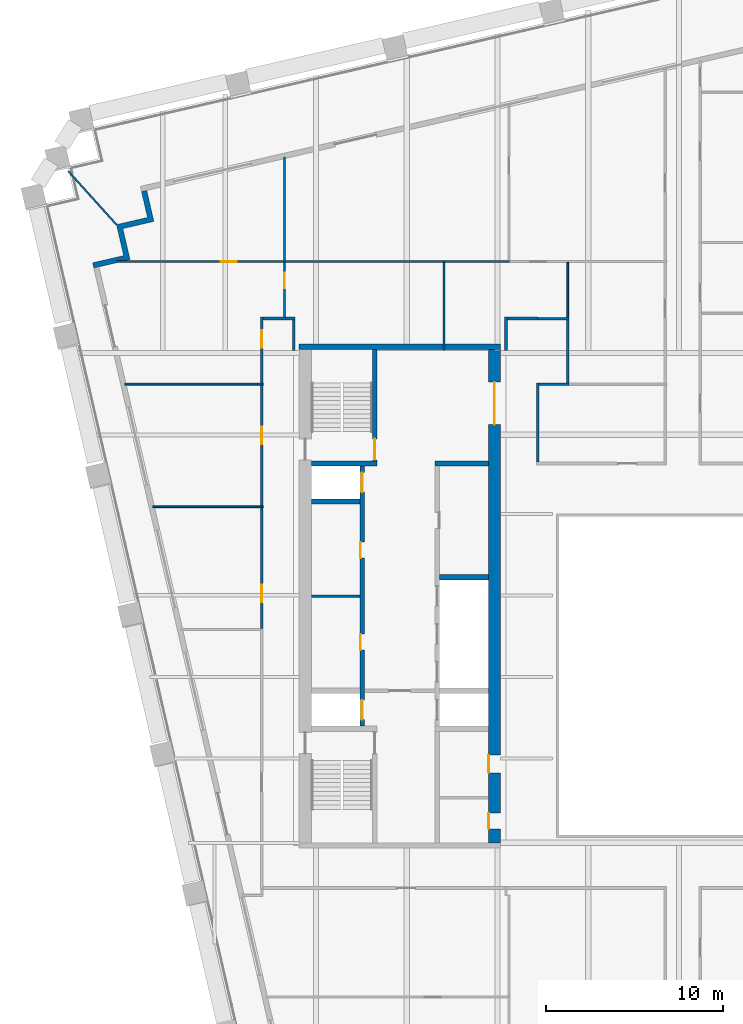
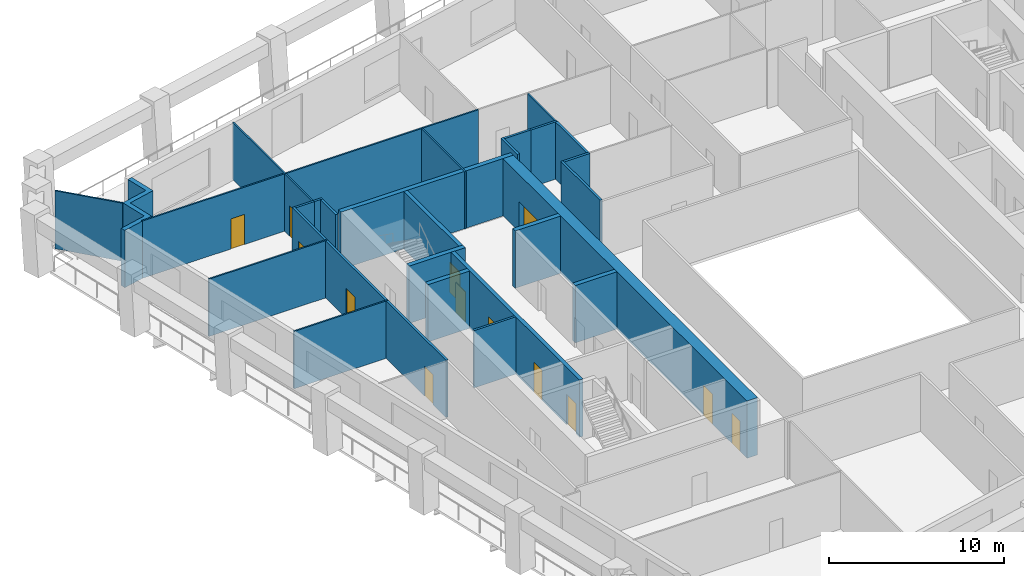
# One storey, part 6 of 10: 32 walls, 13 doors, 13 openings.
"""IFC4 building model written with IfcOpenShell, lengths in metres."""

from ifc_helpers import new_model, si_unit, direction, frame, frame_2d, origin, place, context, subcontext, project, spatial, polyline, rectangle, outline, extrude, material, layer, layer_set, type_object, element, fill, save


model = new_model("IFC4")

# Units and contexts
model_context = context("Model", 3, precision=1e-05, world=origin(), true_north=direction((0.0, 1.0)))
body_context = subcontext(model_context, "Body", "Model", "MODEL_VIEW")
ifc_project = project(units=[si_unit("LENGTHUNIT", "METRE"), si_unit("AREAUNIT", "SQUARE_METRE"), si_unit("VOLUMEUNIT", "CUBIC_METRE"), si_unit("PLANEANGLEUNIT", "RADIAN"), si_unit("MASSUNIT", "GRAM", prefix="KILO")], contexts=[model_context])

# Site, building, storey
site_placement = place(None, origin())
site = spatial("IfcSite", under=ifc_project, at=site_placement, CompositionType="ELEMENT")
building_placement = place(site_placement, origin())
building = spatial("IfcBuilding", under=site, at=building_placement, Name="Ogive Exchange Tower", CompositionType="ELEMENT")
storey_placement = place(building_placement, frame((0.0, 0.0, 188.39990234375)))
storey = spatial("IfcBuildingStorey", under=building, at=storey_placement, Name="L41", CompositionType="ELEMENT", Elevation=188.39990234375)

# Walls
ifc_material_1 = material(Name="Gypsum board partition")
ifc_layer_1 = layer(ifc_material_1, 0.14990234375)
ifc_layer_set_1 = layer_set([ifc_layer_1], Name="Core room partition 150 gypsum")
wall_type_1 = type_object("IfcWallType", Name="Core room partition 150 gypsum", PredefinedType="PARTITIONING", material=ifc_layer_set_1)
wall_1_placement = place(storey_placement, frame((-21.0, 11.5, 0.0), z_axis=(0.0, 0.0, 1.0), x_axis=(1.0, 0.0, 0.0)))
element("IfcWall", 1, at=wall_1_placement, inside=storey, type_object=wall_type_1, Name="W row A bay partition 1-1", PredefinedType="PARTITIONING", context=body_context, shape_type="SweptSolid", body=[
    extrude(rectangle(XDim=2.75, YDim=0.14990234375, at=frame_2d((1.375, 0.0))), origin(), (0.0, 0.0, 1.0), 4.0),
])
ifc_layer_2 = layer(ifc_material_1, 0.300048828125)
ifc_layer_set_2 = layer_set([ifc_layer_2], Name="Core room partition 300 gypsum")
wall_type_2 = type_object("IfcWallType", Name="Core room partition 300 gypsum", PredefinedType="PARTITIONING", material=ifc_layer_set_2)
wall_2_placement = place(storey_placement, frame((-14.0, 19.0, 0.0), z_axis=(0.0, 0.0, 1.0), x_axis=(1.0, 0.0, 0.0)))
element("IfcWall", 2, at=wall_2_placement, inside=storey, type_object=wall_type_2, Name="W row B room end wall 7", PredefinedType="PARTITIONING", context=body_context, shape_type="SweptSolid", body=[
    extrude(rectangle(XDim=3.0, YDim=0.300048828125, at=frame_2d((1.5, 0.0))), origin(), (0.0, 0.0, 1.0), 4.0),
])

# Wall, opening, door
ifc_material_2 = material(Name="Fire partition EI 60 150")
ifc_layer_3 = layer(ifc_material_2, 0.14990234375)
ifc_layer_set_3 = layer_set([ifc_layer_3], Name="Fire partition EI 60 150")
wall_type_3 = type_object("IfcWallType", Name="Fire partition EI 60 150", PredefinedType="PARTITIONING", material=ifc_layer_set_3)
wall_3_placement = place(storey_placement, frame((-23.800048828125, 9.669921875, 0.0), z_axis=(0.0, 0.0, 1.0), x_axis=(0.0, 1.0, 0.0)))
wall_3 = element("IfcWall", 3, at=wall_3_placement, inside=storey, type_object=wall_type_3, Name="L41-PWL-005", PredefinedType="PARTITIONING", context=body_context, shape_type="SweptSolid", body=[
    extrude(rectangle(XDim=6.830078125, YDim=0.14990234375, at=frame_2d((3.4150390625, 0.0))), origin(), (0.0, 0.0, 1.0), 4.0),
])
opening_1_placement = place(wall_3_placement, frame((1.47998046875, 0.0, 0.0)))
opening_1 = element("IfcOpeningElement", 4, at=opening_1_placement, cuts=wall_3, Name="Opening L41-I01", PredefinedType="OPENING", context=body_context, shape_type="SweptSolid", body=[
    extrude(rectangle(XDim=1.0, YDim=2.10009765625, at=frame_2d((0.5, 1.050048828125))), frame((0.0, 0.0849609375, 0.0), z_axis=(0.0, -1.0, 0.0), x_axis=(1.0, 0.0, 0.0)), (0.0, 0.0, 1.0), 0.169921875),
])
ifc_material_3 = material(Name="Fire door FD 30S 1000 x 2100")
door_type_1 = type_object("IfcDoorType", Name="Fire door FD 30S 1000 x 2100", OperationType="NOTDEFINED", PredefinedType="DOOR", material=ifc_material_3)
door_1_placement = place(opening_1_placement, origin())
door_1 = element("IfcDoor", 5, at=door_1_placement, inside=storey, type_object=door_type_1, Name="L41-IDR-001", ObjectType="DT3", OperationType="SINGLE_SWING_RIGHT", OverallHeight=2.10009765625, OverallWidth=1.0, PredefinedType="DOOR", context=body_context, shape_type="SweptSolid", body=[
    extrude(rectangle(XDim=1.0, YDim=2.10009765625, at=frame_2d((0.5, 1.050048828125))), frame((0.0, 0.02490234375, 0.0), z_axis=(0.0, -1.0, 0.0), x_axis=(1.0, 0.0, 0.0)), (0.0, 0.0, 1.0), 0.050048828125),
])
fill(opening_1, door_1)

wall_4_placement = place(storey_placement, frame((-23.800048828125, 16.60009765625, 0.0), z_axis=(0.0, 0.0, 1.0), x_axis=(0.0, 1.0, 0.0)))
wall_4 = element("IfcWall", 6, at=wall_4_placement, inside=storey, type_object=wall_type_3, Name="L41-PWL-006", PredefinedType="PARTITIONING", context=body_context, shape_type="SweptSolid", body=[
    extrude(rectangle(XDim=6.83984375, YDim=0.14990234375, at=frame_2d((3.419921875, 0.0))), origin(), (0.0, 0.0, 1.0), 4.0),
])
opening_2_placement = place(wall_4_placement, frame((3.489990234375, 0.0, 0.0)))
opening_2 = element("IfcOpeningElement", 7, at=opening_2_placement, cuts=wall_4, Name="Opening L41-I02", PredefinedType="OPENING", context=body_context, shape_type="SweptSolid", body=[
    extrude(rectangle(XDim=1.0, YDim=2.10009765625, at=frame_2d((0.5, 1.050048828125))), frame((0.0, 0.0849609375, 0.0), z_axis=(0.0, -1.0, 0.0), x_axis=(1.0, 0.0, 0.0)), (0.0, 0.0, 1.0), 0.169921875),
])
door_2_placement = place(opening_2_placement, origin())
door_2 = element("IfcDoor", 8, at=door_2_placement, inside=storey, type_object=door_type_1, Name="L41-IDR-002", ObjectType="DT3", OperationType="SINGLE_SWING_LEFT", OverallHeight=2.10009765625, OverallWidth=1.0, PredefinedType="DOOR", context=body_context, shape_type="SweptSolid", body=[
    extrude(rectangle(XDim=1.0, YDim=2.10009765625, at=frame_2d((0.5, 1.050048828125))), frame((0.0, 0.02490234375, 0.0), z_axis=(0.0, -1.0, 0.0), x_axis=(1.0, 0.0, 0.0)), (0.0, 0.0, 1.0), 0.050048828125),
])
fill(opening_2, door_2)

wall_5_placement = place(storey_placement, frame((-23.800048828125, 23.5400390625, 0.0), z_axis=(0.0, 0.0, 1.0), x_axis=(0.0, 1.0, 0.0)))
wall_5 = element("IfcWall", 9, at=wall_5_placement, inside=storey, type_object=wall_type_3, Name="L41-PWL-007", PredefinedType="PARTITIONING", context=body_context, shape_type="SweptSolid", body=[
    extrude(rectangle(XDim=3.73486328125, YDim=0.14990234375, at=frame_2d((1.867431640625, 0.0))), origin(), (0.0, 0.0, 1.0), 4.0),
])
opening_3_placement = place(wall_5_placement, frame((2.010009765625, 0.0, 0.0)))
opening_3 = element("IfcOpeningElement", 10, at=opening_3_placement, cuts=wall_5, Name="Opening L41-I10", PredefinedType="OPENING", context=body_context, shape_type="SweptSolid", body=[
    extrude(rectangle(XDim=1.0, YDim=2.10009765625, at=frame_2d((0.5, 1.050048828125))), frame((0.0, 0.0849609375, 0.0), z_axis=(0.0, -1.0, 0.0), x_axis=(1.0, 0.0, 0.0)), (0.0, 0.0, 1.0), 0.169921875),
])
door_3_placement = place(opening_3_placement, origin())
door_3 = element("IfcDoor", 11, at=door_3_placement, inside=storey, type_object=door_type_1, Name="L41-IDR-010", ObjectType="DT3", OperationType="SINGLE_SWING_RIGHT", OverallHeight=2.10009765625, OverallWidth=1.0, PredefinedType="DOOR", context=body_context, shape_type="SweptSolid", body=[
    extrude(rectangle(XDim=1.0, YDim=2.10009765625, at=frame_2d((0.5, 1.050048828125))), frame((0.0, 0.02490234375, 0.0), z_axis=(0.0, -1.0, 0.0), x_axis=(1.0, 0.0, 0.0)), (0.0, 0.0, 1.0), 0.050048828125),
])
fill(opening_3, door_3)

# Walls
wall_6_placement = place(storey_placement, frame((-23.72509765625, 27.199951171875, 0.0), z_axis=(0.0, 0.0, 1.0), x_axis=(1.0, 0.0, 0.0)))
element("IfcWall", 12, at=wall_6_placement, inside=storey, type_object=wall_type_3, Name="L41-PWL-008", PredefinedType="PARTITIONING", context=body_context, shape_type="SweptSolid", body=[
    extrude(rectangle(XDim=1.255126953125, YDim=0.14990234375, at=frame_2d((0.62744140625, 0.0))), origin(), (0.0, 0.0, 1.0), 4.0),
])
wall_7_placement = place(storey_placement, frame((-22.469970703125, 27.199951171875, 0.0), z_axis=(0.0, 0.0, 1.0), x_axis=(1.0, 0.0, 0.0)))
element("IfcWall", 13, at=wall_7_placement, inside=storey, type_object=wall_type_3, Name="L41-PWL-012", PredefinedType="PARTITIONING", context=body_context, shape_type="SweptSolid", body=[
    extrude(rectangle(XDim=0.544921875, YDim=0.14990234375, at=frame_2d((0.2724609375, 0.0))), origin(), (0.0, 0.0, 1.0), 4.0),
])
wall_8_placement = place(storey_placement, frame((-22.0, 27.125, 0.0), z_axis=(0.0, 0.0, 1.0), x_axis=(0.0, -1.0, 0.0)))
element("IfcWall", 14, at=wall_8_placement, inside=storey, type_object=wall_type_3, Name="L41-PWL-016", PredefinedType="PARTITIONING", context=body_context, shape_type="SweptSolid", body=[
    extrude(rectangle(XDim=1.72509765625, YDim=0.14990234375, at=frame_2d((0.862548828125, 0.0))), origin(), (0.0, 0.0, 1.0), 4.0),
])
wall_9_placement = place(storey_placement, frame((-10.0, 25.39990234375, 0.0), z_axis=(0.0, 0.0, 1.0), x_axis=(0.0, 1.0, 0.0)))
element("IfcWall", 15, at=wall_9_placement, inside=storey, type_object=wall_type_3, Name="L41-PWL-021", PredefinedType="PARTITIONING", context=body_context, shape_type="SweptSolid", body=[
    extrude(rectangle(XDim=1.875, YDim=0.14990234375, at=frame_2d((0.9375, 0.0))), origin(), (0.0, 0.0, 1.0), 4.0),
])
wall_10_placement = place(storey_placement, frame((-9.925048828125, 27.199951171875, 0.0), z_axis=(0.0, 0.0, 1.0), x_axis=(1.0, 0.0, 0.0)))
element("IfcWall", 16, at=wall_10_placement, inside=storey, type_object=wall_type_3, Name="L41-PWL-022", PredefinedType="PARTITIONING", context=body_context, shape_type="SweptSolid", body=[
    extrude(rectangle(XDim=1.72509765625, YDim=0.14990234375, at=frame_2d((0.862548828125, 0.0))), origin(), (0.0, 0.0, 1.0), 4.0),
])
wall_11_placement = place(storey_placement, frame((-8.199951171875, 23.56494140625, 0.0), z_axis=(0.0, 0.0, 1.0), x_axis=(0.0, -1.0, 0.0)))
element("IfcWall", 17, at=wall_11_placement, inside=storey, type_object=wall_type_3, Name="L41-PWL-029", PredefinedType="PARTITIONING", context=body_context, shape_type="SweptSolid", body=[
    extrude(rectangle(XDim=4.489990234375, YDim=0.14990234375, at=frame_2d((2.2451171875, 0.0))), origin(), (0.0, 0.0, 1.0), 4.0),
])
wall_12_placement = place(storey_placement, frame((-8.199951171875, 27.18994140625, 0.0), z_axis=(0.0, 0.0, 1.0), x_axis=(1.0, 0.0, 0.0)))
element("IfcWall", 18, at=wall_12_placement, inside=storey, type_object=wall_type_3, Name="L41-PWL-030", PredefinedType="PARTITIONING", context=body_context, shape_type="SweptSolid", body=[
    extrude(rectangle(XDim=1.77490234375, YDim=0.14990234375, at=frame_2d((0.887451171875, 0.0))), origin(), (0.0, 0.0, 1.0), 4.0),
])
wall_13_placement = place(storey_placement, frame((-6.425048828125, 23.489990234375, 0.0), z_axis=(0.0, 0.0, 1.0), x_axis=(-1.0, 0.0, 0.0)))
element("IfcWall", 19, at=wall_13_placement, inside=storey, type_object=wall_type_3, Name="L41-PWL-031", PredefinedType="PARTITIONING", context=body_context, shape_type="SweptSolid", body=[
    extrude(rectangle(XDim=1.699951171875, YDim=0.14990234375, at=frame_2d((0.85009765625, 0.0))), origin(), (0.0, 0.0, 1.0), 4.0),
])
wall_14_placement = place(storey_placement, frame((-6.5, 27.114990234375, 0.0), z_axis=(0.0, 0.0, 1.0), x_axis=(0.0, -1.0, 0.0)))
element("IfcWall", 20, at=wall_14_placement, inside=storey, type_object=wall_type_3, Name="L41-PWL-033", PredefinedType="PARTITIONING", context=body_context, shape_type="SweptSolid", body=[
    extrude(rectangle(XDim=3.550048828125, YDim=0.14990234375, at=frame_2d((1.77490234375, 0.0))), origin(), (0.0, 0.0, 1.0), 4.0),
])
ifc_material_4 = material(Name="Precast concrete C40/50", Category="concrete")
ifc_layer_4 = layer(ifc_material_4, 0.300048828125)
ifc_layer_set_4 = layer_set([ifc_layer_4], Name="Limestone-faced wall 300")
wall_type_4 = type_object("IfcWallType", Name="Limestone-faced wall 300", PredefinedType="STANDARD", material=ifc_layer_set_4)
wall_15_placement = place(storey_placement, origin())
element("IfcWall", 21, at=wall_15_placement, inside=storey, type_object=wall_type_4, Name="External corner wall C3", PredefinedType="STANDARD", context=body_context, shape_type="SweptSolid", body=[
    extrude(outline(polyline([(-31.616943359375, 30.755615234375), (-32.02197265625, 32.509521484375), (-30.26806640625, 32.914306640625), (-30.60546875, 34.3759765625), (-30.31298828125, 34.443359375), (-29.908203125, 32.689697265625), (-31.662109375, 32.28466796875), (-31.257080078125, 30.53076171875), (-33.30322265625, 30.058349609375), (-33.370849609375, 30.3505859375), (-31.616943359375, 30.755615234375)])), origin(), (0.0, 0.0, 1.0), 4.0),
])
ifc_material_5 = material(Name="Laminated safety glass in steel frame", Category="steel")
ifc_layer_5 = layer(ifc_material_5, 0.10009765625)
ifc_layer_set_5 = layer_set([ifc_layer_5], Name="Loggia end screen 100")
wall_type_5 = type_object("IfcWallType", Name="Loggia end screen 100", PredefinedType="STANDARD", material=ifc_layer_set_5)
wall_16_placement = place(storey_placement, frame((-32.02197265625, 32.509521484375, -0.0498046875), z_axis=(0.0, 0.0, 1.0), x_axis=(-0.670133848455, 0.742240274544, 0.0)))
element("IfcWall", 22, at=wall_16_placement, inside=storey, type_object=wall_type_5, Name="Loggia end screen C3", PredefinedType="STANDARD", context=body_context, shape_type="SweptSolid", body=[
    extrude(rectangle(XDim=4.06982421875, YDim=0.10009765625, at=frame_2d((2.034912109375, 0.0))), origin(), (0.0, 0.0, 1.0), 4.0498046875),
])
ifc_material_6 = material(Name="Partition 100 gypsum")
ifc_layer_6 = layer(ifc_material_6, 0.10009765625)
ifc_layer_set_6 = layer_set([ifc_layer_6], Name="Partition 100 gypsum")
wall_type_6 = type_object("IfcWallType", Name="Partition 100 gypsum", PredefinedType="PARTITIONING", material=ifc_layer_set_6)
wall_17_placement = place(storey_placement, frame((-31.56201171875, 23.489990234375, 0.0), z_axis=(0.0, 0.0, 1.0), x_axis=(1.0, 0.0, 0.0)))
element("IfcWall", 23, at=wall_17_placement, inside=storey, type_object=wall_type_6, Name="L41-PWL-001", PredefinedType="PARTITIONING", context=body_context, shape_type="SweptSolid", body=[
    extrude(rectangle(XDim=7.8369140625, YDim=0.10009765625, at=frame_2d((3.91845703125, 0.0))), origin(), (0.0, 0.0, 1.0), 4.0),
])
wall_18_placement = place(storey_placement, frame((-29.958984375, 16.550048828125, 0.0), z_axis=(0.0, 0.0, 1.0), x_axis=(1.0, 0.0, 0.0)))
element("IfcWall", 24, at=wall_18_placement, inside=storey, type_object=wall_type_6, Name="L41-PWL-002", PredefinedType="PARTITIONING", context=body_context, shape_type="SweptSolid", body=[
    extrude(rectangle(XDim=6.23388671875, YDim=0.10009765625, at=frame_2d((3.116943359375, 0.0))), origin(), (0.0, 0.0, 1.0), 4.0),
])

# Wall, opening, door
wall_19_placement = place(storey_placement, frame((-22.52001953125, 27.27490234375, 0.0), z_axis=(0.0, 0.0, 1.0), x_axis=(0.0, 1.0, 0.0)))
wall_19 = element("IfcWall", 25, at=wall_19_placement, inside=storey, type_object=wall_type_6, Name="L41-PWL-011", PredefinedType="PARTITIONING", context=body_context, shape_type="SweptSolid", body=[
    extrude(rectangle(XDim=3.09521484375, YDim=0.10009765625, at=frame_2d((1.547607421875, 0.0))), origin(), (0.0, 0.0, 1.0), 4.0),
])
opening_4_placement = place(wall_19_placement, frame((1.625, 0.0, 0.0)))
opening_4 = element("IfcOpeningElement", 26, at=opening_4_placement, cuts=wall_19, Name="Opening L41-I04", PredefinedType="OPENING", context=body_context, shape_type="SweptSolid", body=[
    extrude(rectangle(XDim=0.89990234375, YDim=2.10009765625, at=frame_2d((0.449951171875, 1.050048828125))), frame((0.0, 0.06005859375, 0.0), z_axis=(0.0, -1.0, 0.0), x_axis=(1.0, 0.0, 0.0)), (0.0, 0.0, 1.0), 0.1201171875),
])
ifc_material_7 = material(Name="Door 900 x 2100")
door_type_2 = type_object("IfcDoorType", Name="Door 900 x 2100", OperationType="NOTDEFINED", PredefinedType="DOOR", material=ifc_material_7)
door_4_placement = place(opening_4_placement, frame((0.89990234375, 0.0, 0.0), z_axis=(0.0, 0.0, 1.0), x_axis=(-1.0, 0.0, 0.0)))
door_4 = element("IfcDoor", 27, at=door_4_placement, inside=storey, type_object=door_type_2, Name="L41-IDR-004", ObjectType="DT1", OperationType="SINGLE_SWING_RIGHT", OverallHeight=2.10009765625, OverallWidth=0.89990234375, PredefinedType="DOOR", context=body_context, shape_type="SweptSolid", body=[
    extrude(rectangle(XDim=0.89990234375, YDim=2.10009765625, at=frame_2d((0.449951171875, 1.050048828125))), frame((0.0, 0.02490234375, 0.0), z_axis=(0.0, -1.0, 0.0), x_axis=(1.0, 0.0, 0.0)), (0.0, 0.0, 1.0), 0.050048828125),
])
fill(opening_4, door_4)

wall_20_placement = place(storey_placement, frame((-22.570068359375, 30.419921875, 0.0), z_axis=(0.0, 0.0, 1.0), x_axis=(-1.0, 0.0, 0.0)))
wall_20 = element("IfcWall", 28, at=wall_20_placement, inside=storey, type_object=wall_type_6, Name="L41-PWL-013", PredefinedType="PARTITIONING", context=body_context, shape_type="SweptSolid", body=[
    extrude(rectangle(XDim=9.411865234375, YDim=0.10009765625, at=frame_2d((4.7060546875, 0.0))), origin(), (0.0, 0.0, 1.0), 4.0),
])
opening_5_placement = place(wall_20_placement, frame((2.64990234375, 0.0, 0.0)))
opening_5 = element("IfcOpeningElement", 29, at=opening_5_placement, cuts=wall_20, Name="Opening L41-I09", PredefinedType="OPENING", context=body_context, shape_type="SweptSolid", body=[
    extrude(rectangle(XDim=0.89990234375, YDim=2.10009765625, at=frame_2d((0.449951171875, 1.050048828125))), frame((0.0, 0.06005859375, 0.0), z_axis=(0.0, -1.0, 0.0), x_axis=(1.0, 0.0, 0.0)), (0.0, 0.0, 1.0), 0.1201171875),
])
door_5_placement = place(opening_5_placement, frame((0.89990234375, 0.0, 0.0), z_axis=(0.0, 0.0, 1.0), x_axis=(-1.0, 0.0, 0.0)))
door_5 = element("IfcDoor", 30, at=door_5_placement, inside=storey, type_object=door_type_2, Name="L41-IDR-009", ObjectType="DT1", OperationType="SINGLE_SWING_LEFT", OverallHeight=2.10009765625, OverallWidth=0.89990234375, PredefinedType="DOOR", context=body_context, shape_type="SweptSolid", body=[
    extrude(rectangle(XDim=0.89990234375, YDim=2.10009765625, at=frame_2d((0.449951171875, 1.050048828125))), frame((0.0, 0.02490234375, 0.0), z_axis=(0.0, -1.0, 0.0), x_axis=(1.0, 0.0, 0.0)), (0.0, 0.0, 1.0), 0.050048828125),
])
fill(opening_5, door_5)

# Walls
wall_21_placement = place(storey_placement, frame((-22.52001953125, 30.3701171875, 0.0), z_axis=(0.0, 0.0, 1.0), x_axis=(0.0, 1.0, 0.0)))
element("IfcWall", 31, at=wall_21_placement, inside=storey, type_object=wall_type_6, Name="L41-PWL-014", PredefinedType="PARTITIONING", context=body_context, shape_type="SweptSolid", body=[
    extrude(rectangle(XDim=5.954833984375, YDim=0.10009765625, at=frame_2d((2.9775390625, 0.0))), origin(), (0.0, 0.0, 1.0), 4.0),
])
wall_22_placement = place(storey_placement, frame((-22.469970703125, 30.419921875, 0.0), z_axis=(0.0, 0.0, 1.0), x_axis=(1.0, 0.0, 0.0)))
element("IfcWall", 32, at=wall_22_placement, inside=storey, type_object=wall_type_6, Name="L41-PWL-015", PredefinedType="PARTITIONING", context=body_context, shape_type="SweptSolid", body=[
    extrude(rectangle(XDim=9.02001953125, YDim=0.10009765625, at=frame_2d((4.510009765625, 0.0))), origin(), (0.0, 0.0, 1.0), 4.0),
])
wall_23_placement = place(storey_placement, frame((-13.5, 30.3701171875, 0.0), z_axis=(0.0, 0.0, 1.0), x_axis=(0.0, -1.0, 0.0)))
element("IfcWall", 33, at=wall_23_placement, inside=storey, type_object=wall_type_6, Name="L41-PWL-017", PredefinedType="PARTITIONING", context=body_context, shape_type="SweptSolid", body=[
    extrude(rectangle(XDim=4.97021484375, YDim=0.10009765625, at=frame_2d((2.485107421875, 0.0))), origin(), (0.0, 0.0, 1.0), 4.0),
])
wall_24_placement = place(storey_placement, frame((-13.449951171875, 30.419921875, 0.0), z_axis=(0.0, 0.0, 1.0), x_axis=(1.0, 0.0, 0.0)))
element("IfcWall", 34, at=wall_24_placement, inside=storey, type_object=wall_type_6, Name="L41-PWL-018", PredefinedType="PARTITIONING", context=body_context, shape_type="SweptSolid", body=[
    extrude(rectangle(XDim=3.669921875, YDim=0.10009765625, at=frame_2d((1.8349609375, 0.0))), origin(), (0.0, 0.0, 1.0), 4.0),
])
wall_25_placement = place(storey_placement, frame((-6.5, 30.3701171875, 0.0), z_axis=(0.0, 0.0, 1.0), x_axis=(0.0, -1.0, 0.0)))
element("IfcWall", 35, at=wall_25_placement, inside=storey, type_object=wall_type_6, Name="L41-PWL-034", PredefinedType="PARTITIONING", context=body_context, shape_type="SweptSolid", body=[
    extrude(rectangle(XDim=3.105224609375, YDim=0.10009765625, at=frame_2d((1.552734375, 0.0))), origin(), (0.0, 0.0, 1.0), 4.0),
])

# Wall, opening, door
ifc_material_8 = material(Name="Concrete C70/85", Category="concrete")
ifc_layer_7 = layer(ifc_material_8, 0.25)
ifc_layer_set_7 = layer_set([ifc_layer_7], Name="RC core wall 250 C70/85")
wall_type_7 = type_object("IfcWallType", Name="RC core wall 250 C70/85", PredefinedType="SHEAR", material=ifc_layer_set_7)
wall_26_placement = place(storey_placement, frame((-17.425048828125, 19.14990234375, 0.0), z_axis=(0.0, 0.0, 1.0), x_axis=(0.0, 1.0, 0.0)))
wall_26 = element("IfcWall", 36, at=wall_26_placement, inside=storey, type_object=wall_type_7, Name="W stair N front wall", PredefinedType="SHEAR", context=body_context, shape_type="SweptSolid", body=[
    extrude(rectangle(XDim=6.300048828125, YDim=0.25, at=frame_2d((3.14990234375, 0.0))), origin(), (0.0, 0.0, 1.0), 4.0),
])
opening_6_placement = place(wall_26_placement, frame((0.050048828125, 0.0, 0.0)))
opening_6 = element("IfcOpeningElement", 37, at=opening_6_placement, cuts=wall_26, Name="Opening L41-C14", PredefinedType="OPENING", context=body_context, shape_type="SweptSolid", body=[
    extrude(rectangle(XDim=1.199951171875, YDim=2.10009765625, at=frame_2d((0.60009765625, 1.050048828125))), frame((0.0, 0.135009765625, 0.0), z_axis=(0.0, -1.0, 0.0), x_axis=(1.0, 0.0, 0.0)), (0.0, 0.0, 1.0), 0.27001953125),
])
ifc_material_9 = material(Name="Steel fire door", Category="steel")
door_type_3 = type_object("IfcDoorType", Name="Stair door FD90 1200 x 2100", OperationType="NOTDEFINED", PredefinedType="DOOR", material=ifc_material_9)
door_6_placement = place(opening_6_placement, origin())
door_6 = element("IfcDoor", 38, at=door_6_placement, inside=storey, type_object=door_type_3, Name="Stair door", ObjectType="CD5", OperationType="SINGLE_SWING_RIGHT", OverallHeight=2.10009765625, OverallWidth=1.199951171875, PredefinedType="DOOR", context=body_context, shape_type="SweptSolid", body=[
    extrude(rectangle(XDim=1.199951171875, YDim=2.10009765625, at=frame_2d((0.60009765625, 1.050048828125))), frame((0.0, 0.02490234375, 0.0), z_axis=(0.0, -1.0, 0.0), x_axis=(1.0, 0.0, 0.0)), (0.0, 0.0, 1.0), 0.050048828125),
])
fill(opening_6, door_6)

# Wall, openings, doors
wall_27_placement = place(storey_placement, frame((-18.125, 4.14990234375, 0.0), z_axis=(0.0, 0.0, 1.0), x_axis=(0.0, 1.0, 0.0)))
wall_27 = element("IfcWall", 39, at=wall_27_placement, inside=storey, type_object=wall_type_7, Name="W row A front wall", PredefinedType="SHEAR", context=body_context, shape_type="SweptSolid", body=[
    extrude(rectangle(XDim=14.7001953125, YDim=0.25, at=frame_2d((7.35009765625, 0.0))), origin(), (0.0, 0.0, 1.0), 4.0),
])
opening_7_placement = place(wall_27_placement, frame((4.29638671875, 0.0, 0.0)))
opening_7 = element("IfcOpeningElement", 40, at=opening_7_placement, cuts=wall_27, Name="Opening L41-C01", PredefinedType="OPENING", context=body_context, shape_type="SweptSolid", body=[
    extrude(rectangle(XDim=0.89990234375, YDim=2.10009765625, at=frame_2d((0.449951171875, 1.050048828125))), frame((0.0, 0.135009765625, 0.0), z_axis=(0.0, -1.0, 0.0), x_axis=(1.0, 0.0, 0.0)), (0.0, 0.0, 1.0), 0.27001953125),
])
opening_8_placement = place(wall_27_placement, frame((9.503662109375, 0.0, 0.0)))
opening_8 = element("IfcOpeningElement", 41, at=opening_8_placement, cuts=wall_27, Name="Opening L41-C02", PredefinedType="OPENING", context=body_context, shape_type="SweptSolid", body=[
    extrude(rectangle(XDim=0.89990234375, YDim=2.10009765625, at=frame_2d((0.449951171875, 1.050048828125))), frame((0.0, 0.135009765625, 0.0), z_axis=(0.0, -1.0, 0.0), x_axis=(1.0, 0.0, 0.0)), (0.0, 0.0, 1.0), 0.27001953125),
])
opening_9_placement = place(wall_27_placement, frame((0.371337890625, 0.0, 0.0)))
opening_9 = element("IfcOpeningElement", 42, at=opening_9_placement, cuts=wall_27, Name="Opening L41-C03", PredefinedType="OPENING", context=body_context, shape_type="SweptSolid", body=[
    extrude(rectangle(XDim=1.10009765625, YDim=2.10009765625, at=frame_2d((0.550048828125, 1.050048828125))), frame((0.0, 0.135009765625, 0.0), z_axis=(0.0, -1.0, 0.0), x_axis=(1.0, 0.0, 0.0)), (0.0, 0.0, 1.0), 0.27001953125),
])
opening_10_placement = place(wall_27_placement, frame((13.228515625, 0.0, 0.0)))
opening_10 = element("IfcOpeningElement", 43, at=opening_10_placement, cuts=wall_27, Name="Opening L41-C04", PredefinedType="OPENING", context=body_context, shape_type="SweptSolid", body=[
    extrude(rectangle(XDim=1.10009765625, YDim=2.10009765625, at=frame_2d((0.550048828125, 1.050048828125))), frame((0.0, 0.135009765625, 0.0), z_axis=(0.0, -1.0, 0.0), x_axis=(1.0, 0.0, 0.0)), (0.0, 0.0, 1.0), 0.27001953125),
])
ifc_material_10 = material(Name="Timber fire door", Category="wood")
door_type_4 = type_object("IfcDoorType", Name="Core room door FD30S 900 x 2100", OperationType="NOTDEFINED", PredefinedType="DOOR", material=ifc_material_10)
door_7_placement = place(opening_8_placement, origin())
door_7 = element("IfcDoor", 44, at=door_7_placement, inside=storey, type_object=door_type_4, Name="Core room door", ObjectType="CD6", OperationType="SINGLE_SWING_LEFT", OverallHeight=2.10009765625, OverallWidth=0.89990234375, PredefinedType="DOOR", context=body_context, shape_type="SweptSolid", body=[
    extrude(rectangle(XDim=0.89990234375, YDim=2.10009765625, at=frame_2d((0.449951171875, 1.050048828125))), frame((0.0, 0.125, 0.0), z_axis=(0.0, -1.0, 0.0), x_axis=(1.0, 0.0, 0.0)), (0.0, 0.0, 1.0), 0.050048828125),
])
fill(opening_8, door_7)
ifc_material_11 = material(Name="Stainless steel", Category="steel")
door_type_5 = type_object("IfcDoorType", Name="Lift landing door FD90 1100 x 2100", OperationType="SLIDING_TO_LEFT", PredefinedType="DOOR", material=ifc_material_11)
door_8_placement = place(opening_9_placement, origin())
door_8 = element("IfcDoor", 45, at=door_8_placement, inside=storey, type_object=door_type_5, Name="Lift landing door FF1", ObjectType="LD", OperationType="SLIDING_TO_LEFT", OverallHeight=2.10009765625, OverallWidth=1.10009765625, PredefinedType="DOOR", context=body_context, shape_type="SweptSolid", body=[
    extrude(rectangle(XDim=1.10009765625, YDim=2.10009765625, at=frame_2d((0.550048828125, 1.050048828125))), frame((0.0, 0.02490234375, 0.0), z_axis=(0.0, -1.0, 0.0), x_axis=(1.0, 0.0, 0.0)), (0.0, 0.0, 1.0), 0.050048828125),
])
fill(opening_9, door_8)
door_9_placement = place(opening_10_placement, origin())
door_9 = element("IfcDoor", 46, at=door_9_placement, inside=storey, type_object=door_type_5, Name="Lift landing door W-SH2", ObjectType="LD", OperationType="SLIDING_TO_LEFT", OverallHeight=2.10009765625, OverallWidth=1.10009765625, PredefinedType="DOOR", context=body_context, shape_type="SweptSolid", body=[
    extrude(rectangle(XDim=1.10009765625, YDim=2.10009765625, at=frame_2d((0.550048828125, 1.050048828125))), frame((0.0, 0.02490234375, 0.0), z_axis=(0.0, -1.0, 0.0), x_axis=(1.0, 0.0, 0.0)), (0.0, 0.0, 1.0), 0.050048828125),
])
fill(opening_10, door_9)
door_type_6 = type_object("IfcDoorType", Name="Riser door FD60 900 x 2100", OperationType="NOTDEFINED", PredefinedType="DOOR", material=ifc_material_9)
door_10_placement = place(opening_7_placement, origin())
door_10 = element("IfcDoor", 47, at=door_10_placement, inside=storey, type_object=door_type_6, Name="Riser door", ObjectType="CD2", OperationType="SINGLE_SWING_LEFT", OverallHeight=2.10009765625, OverallWidth=0.89990234375, PredefinedType="DOOR", context=body_context, shape_type="SweptSolid", body=[
    extrude(rectangle(XDim=0.89990234375, YDim=2.10009765625, at=frame_2d((0.449951171875, 1.050048828125))), frame((0.0, 0.125, 0.0), z_axis=(0.0, -1.0, 0.0), x_axis=(1.0, 0.0, 0.0)), (0.0, 0.0, 1.0), 0.050048828125),
])
fill(opening_7, door_10)

# Walls
ifc_layer_8 = layer(ifc_material_8, 0.300048828125)
ifc_layer_set_8 = layer_set([ifc_layer_8], Name="RC core wall 300 C70/85")
wall_type_8 = type_object("IfcWallType", Name="RC core wall 300 C70/85", PredefinedType="SHEAR", material=ifc_layer_set_8)
wall_28_placement = place(storey_placement, frame((-21.699951171875, 25.60009765625, 0.0), z_axis=(0.0, 0.0, 1.0), x_axis=(1.0, 0.0, 0.0)))
element("IfcWall", 48, at=wall_28_placement, inside=storey, type_object=wall_type_8, Name="W north end wall", PredefinedType="SHEAR", context=body_context, shape_type="SweptSolid", body=[
    extrude(rectangle(XDim=11.39990234375, YDim=0.300048828125, at=frame_2d((5.699951171875, 0.0))), origin(), (0.0, 0.0, 1.0), 4.0),
])
wall_29_placement = place(storey_placement, frame((-21.0, 19.0, 0.0), z_axis=(0.0, 0.0, 1.0), x_axis=(1.0, 0.0, 0.0)))
element("IfcWall", 49, at=wall_29_placement, inside=storey, type_object=wall_type_8, Name="W stair N south wall", PredefinedType="SHEAR", context=body_context, shape_type="SweptSolid", body=[
    extrude(rectangle(XDim=3.699951171875, YDim=0.300048828125, at=frame_2d((1.85009765625, 0.0))), origin(), (0.0, 0.0, 1.0), 4.0),
])
for number, where, z_axis, x_axis, name in (
    (50, (-21.0, 16.857177734375, 0.0), (0.0, 0.0, 1.0), (1.0, 0.0, 0.0), "W row A divider 6"),
    (51, (-13.75, 12.5712890625, 0.0), (0.0, 0.0, 1.0), (1.0, 0.0, 0.0), "W row B divider 4"),
):
    element("IfcWall", number, at=place(storey_placement, frame(where, z_axis=z_axis, x_axis=x_axis)), inside=storey, type_object=wall_type_8, Name=name, PredefinedType="SHEAR", context=body_context, shape_type="SweptSolid", body=[
        extrude(rectangle(XDim=2.75, YDim=0.300048828125, at=frame_2d((1.375, 0.0))), origin(), (0.0, 0.0, 1.0), 4.0),
    ])

# Wall, openings, doors
ifc_layer_9 = layer(ifc_material_8, 0.699951171875)
ifc_layer_set_9 = layer_set([ifc_layer_9], Name="RC core wall 700 C70/85")
wall_type_9 = type_object("IfcWallType", Name="RC core wall 700 C70/85", PredefinedType="SHEAR", material=ifc_layer_set_9)
wall_30_placement = place(storey_placement, frame((-10.64990234375, -2.449951171875, 0.0), z_axis=(0.0, 0.0, 1.0), x_axis=(0.0, 1.0, 0.0)))
wall_30 = element("IfcWall", 52, at=wall_30_placement, inside=storey, type_object=wall_type_9, Name="W inner wall", PredefinedType="SHEAR", context=body_context, shape_type="SweptSolid", body=[
    extrude(rectangle(XDim=27.89990234375, YDim=0.699951171875, at=frame_2d((13.949951171875, 0.0))), origin(), (0.0, 0.0, 1.0), 4.0),
])
opening_11_placement = place(wall_30_placement, frame((23.64990234375, 0.0, 0.0)))
opening_11 = element("IfcOpeningElement", 53, at=opening_11_placement, cuts=wall_30, Name="Opening L41-C11", PredefinedType="OPENING", context=body_context, shape_type="SweptSolid", body=[
    extrude(rectangle(XDim=2.39990234375, YDim=2.10009765625, at=frame_2d((1.199951171875, 1.050048828125))), frame((0.0, 0.35986328125, 0.0), z_axis=(0.0, -1.0, 0.0), x_axis=(1.0, 0.0, 0.0)), (0.0, 0.0, 1.0), 0.719970703125),
])
opening_12_placement = place(wall_30_placement, frame((0.78759765625, 0.0, 0.0)))
opening_12 = element("IfcOpeningElement", 54, at=opening_12_placement, cuts=wall_30, Name="Opening L41-C16", PredefinedType="OPENING", context=body_context, shape_type="SweptSolid", body=[
    extrude(rectangle(XDim=0.89990234375, YDim=2.10009765625, at=frame_2d((0.449951171875, 1.050048828125))), frame((0.0, 0.35986328125, 0.0), z_axis=(0.0, -1.0, 0.0), x_axis=(1.0, 0.0, 0.0)), (0.0, 0.0, 1.0), 0.719970703125),
])
opening_13_placement = place(wall_30_placement, frame((3.96240234375, 0.0, 0.0)))
opening_13 = element("IfcOpeningElement", 55, at=opening_13_placement, cuts=wall_30, Name="Opening L41-C17", PredefinedType="OPENING", context=body_context, shape_type="SweptSolid", body=[
    extrude(rectangle(XDim=1.0, YDim=2.10009765625, at=frame_2d((0.5, 1.050048828125))), frame((0.0, 0.35986328125, 0.0), z_axis=(0.0, -1.0, 0.0), x_axis=(1.0, 0.0, 0.0)), (0.0, 0.0, 1.0), 0.719970703125),
])
door_type_7 = type_object("IfcDoorType", Name="Accessible WC door FD30S 1000 x 2100", OperationType="NOTDEFINED", PredefinedType="DOOR", material=ifc_material_10)
door_11_placement = place(opening_13_placement, origin())
door_11 = element("IfcDoor", 56, at=door_11_placement, inside=storey, type_object=door_type_7, Name="Accessible WC door", ObjectType="CD7", OperationType="SINGLE_SWING_LEFT", OverallHeight=2.10009765625, OverallWidth=1.0, PredefinedType="DOOR", context=body_context, shape_type="SweptSolid", body=[
    extrude(rectangle(XDim=1.0, YDim=2.10009765625, at=frame_2d((0.5, 1.050048828125))), frame((0.0, 0.35009765625, 0.0), z_axis=(0.0, -1.0, 0.0), x_axis=(1.0, 0.0, 0.0)), (0.0, 0.0, 1.0), 0.050048828125),
])
fill(opening_13, door_11)
door_12_placement = place(opening_12_placement, origin())
door_12 = element("IfcDoor", 57, at=door_12_placement, inside=storey, type_object=door_type_4, Name="Core room door", ObjectType="CD6", OperationType="SINGLE_SWING_LEFT", OverallHeight=2.10009765625, OverallWidth=0.89990234375, PredefinedType="DOOR", context=body_context, shape_type="SweptSolid", body=[
    extrude(rectangle(XDim=0.89990234375, YDim=2.10009765625, at=frame_2d((0.449951171875, 1.050048828125))), frame((0.0, 0.35009765625, 0.0), z_axis=(0.0, -1.0, 0.0), x_axis=(1.0, 0.0, 0.0)), (0.0, 0.0, 1.0), 0.050048828125),
])
fill(opening_12, door_12)
ifc_material_12 = material(Name="Glazed steel fire door", Category="steel")
door_type_8 = type_object("IfcDoorType", Name="Lift lobby double door FD60 2400 x 2100", OperationType="DOUBLE_DOOR_SINGLE_SWING", PredefinedType="DOOR", material=ifc_material_12)
door_13_placement = place(opening_11_placement, frame((2.39990234375, 0.0, 0.0), z_axis=(0.0, 0.0, 1.0), x_axis=(-1.0, 0.0, 0.0)))
door_13 = element("IfcDoor", 58, at=door_13_placement, inside=storey, type_object=door_type_8, Name="Lift lobby double door", ObjectType="CD4", OperationType="DOUBLE_DOOR_SINGLE_SWING", OverallHeight=2.10009765625, OverallWidth=2.39990234375, PredefinedType="DOOR", context=body_context, shape_type="SweptSolid", body=[
    extrude(rectangle(XDim=2.39990234375, YDim=2.10009765625, at=frame_2d((1.199951171875, 1.050048828125))), frame((0.0, 0.02490234375, 0.0), z_axis=(0.0, -1.0, 0.0), x_axis=(1.0, 0.0, 0.0)), (0.0, 0.0, 1.0), 0.050048828125),
])
fill(opening_11, door_13)

save(model, "model.ifc")
